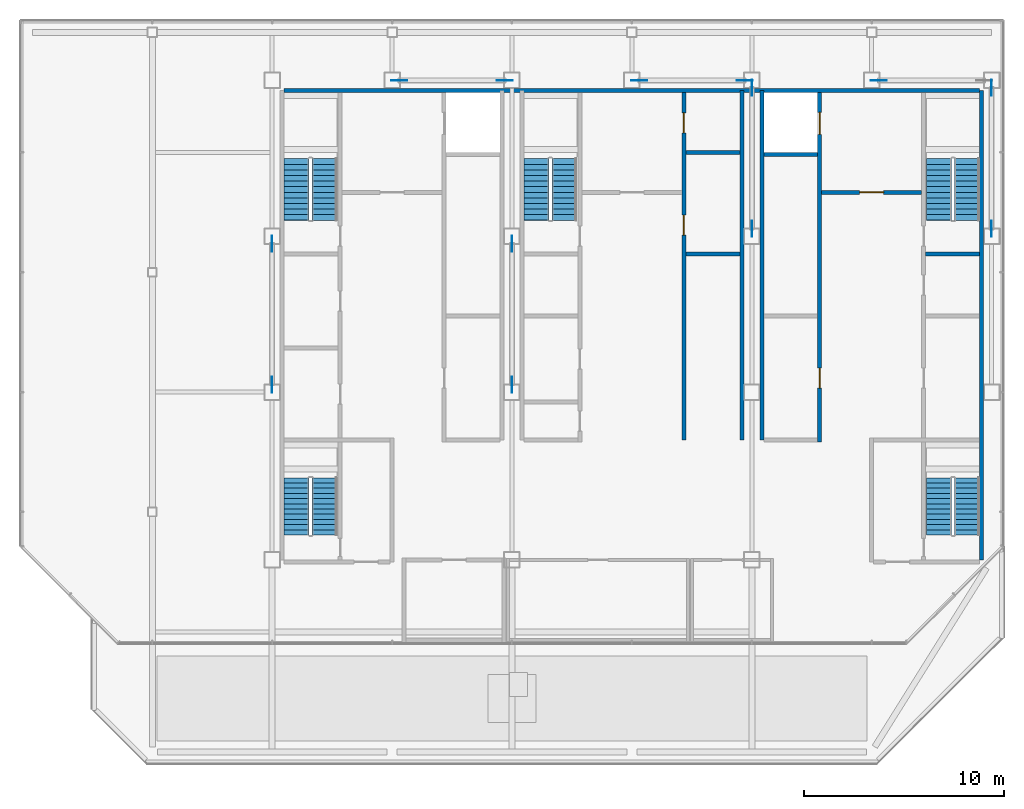
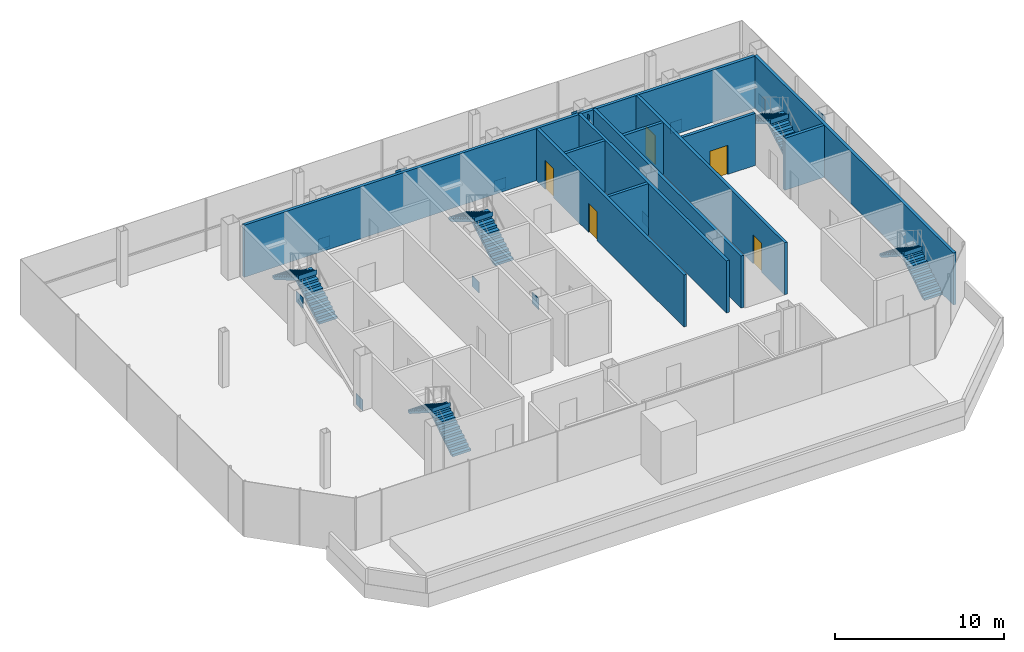
# One storey, part 15 of 18: 13 discrete accessories, 11 walls, 10 stair flights, 5 doors, 5 openings, 5 elements without a shape of their own.
"""IFC4 building model written with IfcOpenShell, lengths in metres."""

from ifc_helpers import new_model, si_unit, direction, frame, frame_2d, origin, origin_2d, place, context, subcontext, project, spatial, polyline, rectangle, outline, extrude, material, layer, layer_set, type_object, element, fill, aggregate, save


model = new_model("IFC4")

# Units and contexts
model_context = context("Model", 3, precision=1e-05, world=origin(), true_north=direction((0.0, 1.0)))
body_context = subcontext(model_context, "Body", "Model", "MODEL_VIEW")
ifc_project = project(units=[si_unit("LENGTHUNIT", "METRE"), si_unit("AREAUNIT", "SQUARE_METRE"), si_unit("VOLUMEUNIT", "CUBIC_METRE"), si_unit("PLANEANGLEUNIT", "RADIAN"), si_unit("MASSUNIT", "GRAM", prefix="KILO")], contexts=[model_context])

# Site, building, storey
site_placement = place(None, origin())
site = spatial("IfcSite", under=ifc_project, at=site_placement, CompositionType="ELEMENT")
building_placement = place(site_placement, origin())
building = spatial("IfcBuilding", under=site, at=building_placement, Name="Sorahane Residences", CompositionType="ELEMENT")
storey_placement = place(building_placement, frame((0.0, 0.0, 345.800048828125)))
storey = spatial("IfcBuildingStorey", under=building, at=storey_placement, Name="L82", CompositionType="ELEMENT", Elevation=345.800048828125)

# Walls
ifc_material_1 = material(Name="Concrete C30", Category="concrete")
ifc_layer_1 = layer(ifc_material_1, 0.199951171875)
ifc_layer_set_1 = layer_set([ifc_layer_1], Name="Core face wall 200 EI 180")
wall_type_1 = type_object("IfcWallType", Name="Core face wall 200 EI 180", PredefinedType="SOLIDWALL", material=ifc_layer_set_1)
wall_1_placement = place(storey_placement, frame((41.5, 21.60009765625, 0.0), z_axis=(0.0, 0.0, 1.0), x_axis=(0.0, 1.0, 0.0)))
element("IfcWall", 1, at=wall_1_placement, inside=storey, type_object=wall_type_1, Name="L82 core face wall", PredefinedType="SOLIDWALL", context=body_context, shape_type="SweptSolid", body=[
    extrude(rectangle(XDim=23.5, YDim=0.199951171875, at=frame_2d((11.75, 0.0))), origin(), (0.0, 0.0, 1.0), 3.75),
])
wall_2_placement = place(storey_placement, frame((6.60009765625, 45.10009765625, 0.0), z_axis=(0.0, 0.0, 1.0), x_axis=(1.0, 0.0, 0.0)))
element("IfcWall", 2, at=wall_2_placement, inside=storey, type_object=wall_type_1, Name="L82 core face wall", PredefinedType="SOLIDWALL", context=body_context, shape_type="SweptSolid", body=[
    extrude(rectangle(XDim=34.7998046875, YDim=0.199951171875, at=frame_2d((17.39990234375, 0.0))), origin(), (0.0, 0.0, 1.0), 3.75),
])
for number, where, z_axis, x_axis, name in (
    (3, (29.5, 27.60009765625, 0.0), (0.0, 0.0, 1.0), (0.0, 1.0, 0.0), "L82 core face wall"),
    (4, (30.5, 27.60009765625, 0.0), (0.0, 0.0, 1.0), (0.0, 1.0, 0.0), "L82 core face wall"),
):
    element("IfcWall", number, at=place(storey_placement, frame(where, z_axis=z_axis, x_axis=x_axis)), inside=storey, type_object=wall_type_1, Name=name, PredefinedType="SOLIDWALL", context=body_context, shape_type="SweptSolid", body=[
        extrude(rectangle(XDim=17.5, YDim=0.199951171875, at=frame_2d((8.75, 0.0))), origin(), (0.0, 0.0, 1.0), 3.75),
    ])

# Wall, openings, doors
ifc_material_2 = material(Name="Concrete C30", Category="concrete")
ifc_layer_2 = layer(ifc_material_2, 0.199951171875)
ifc_layer_set_2 = layer_set([ifc_layer_2], Name="Front room wall 200 EI 120")
wall_type_2 = type_object("IfcWallType", Name="Front room wall 200 EI 120", PredefinedType="PARTITIONING", material=ifc_layer_set_2)
wall_3_placement = place(storey_placement, frame((26.60009765625, 27.60009765625, 0.0), z_axis=(0.0, 0.0, 1.0), x_axis=(0.0, 1.0, 0.0)))
wall_3 = element("IfcWall", 5, at=wall_3_placement, inside=storey, type_object=wall_type_2, Name="L82 front room wall", PredefinedType="PARTITIONING", context=body_context, shape_type="SweptSolid", body=[
    extrude(rectangle(XDim=17.39990234375, YDim=0.199951171875, at=frame_2d((8.699951171875, 0.0))), origin(), (0.0, 0.0, 1.0), 3.75),
])
opening_1_placement = place(wall_3_placement, frame((10.25, 0.0, 0.0)))
opening_1 = element("IfcOpeningElement", 6, at=opening_1_placement, cuts=wall_3, Name="Opening L82-C21", PredefinedType="OPENING", context=body_context, shape_type="SweptSolid", body=[
    extrude(rectangle(XDim=1.0, YDim=2.10009765625, at=frame_2d((0.5, 1.050048828125))), frame((0.0, 0.10986328125, 0.0), z_axis=(0.0, -1.0, 0.0), x_axis=(1.0, 0.0, 0.0)), (0.0, 0.0, 1.0), 0.219970703125),
])
opening_2_placement = place(wall_3_placement, frame((15.375, 0.0, 0.0)))
opening_2 = element("IfcOpeningElement", 7, at=opening_2_placement, cuts=wall_3, Name="Opening L82-C22", PredefinedType="OPENING", context=body_context, shape_type="SweptSolid", body=[
    extrude(rectangle(XDim=1.0, YDim=2.10009765625, at=frame_2d((0.5, 1.050048828125))), frame((0.0, 0.10986328125, 0.0), z_axis=(0.0, -1.0, 0.0), x_axis=(1.0, 0.0, 0.0)), (0.0, 0.0, 1.0), 0.219970703125),
])
ifc_material_3 = material(Name="Steel", Category="steel")
door_type_1 = type_object("IfcDoorType", Name="Service room door 1000x2100 FD60", OperationType="NOTDEFINED", PredefinedType="DOOR", material=ifc_material_3)
door_1_placement = place(opening_1_placement, frame((1.0, 0.0, 0.0), z_axis=(0.0, 0.0, 1.0), x_axis=(-1.0, 0.0, 0.0)))
door_1 = element("IfcDoor", 8, at=door_1_placement, inside=storey, type_object=door_type_1, Name="Service room door Parcel room L82", OperationType="SINGLE_SWING_LEFT", OverallHeight=2.10009765625, OverallWidth=1.0, PredefinedType="DOOR", context=body_context, shape_type="SweptSolid", body=[
    extrude(rectangle(XDim=1.0, YDim=2.10009765625, at=frame_2d((0.5, 1.050048828125))), frame((0.0, 0.02490234375, 0.0), z_axis=(0.0, -1.0, 0.0), x_axis=(1.0, 0.0, 0.0)), (0.0, 0.0, 1.0), 0.050048828125),
])
fill(opening_1, door_1)
door_2_placement = place(opening_2_placement, frame((1.0, 0.0, 0.0), z_axis=(0.0, 0.0, 1.0), x_axis=(-1.0, 0.0, 0.0)))
door_2 = element("IfcDoor", 9, at=door_2_placement, inside=storey, type_object=door_type_1, Name="Service room door Refuse room L82", OperationType="SINGLE_SWING_RIGHT", OverallHeight=2.10009765625, OverallWidth=1.0, PredefinedType="DOOR", context=body_context, shape_type="SweptSolid", body=[
    extrude(rectangle(XDim=1.0, YDim=2.10009765625, at=frame_2d((0.5, 1.050048828125))), frame((0.0, 0.02490234375, 0.0), z_axis=(0.0, -1.0, 0.0), x_axis=(1.0, 0.0, 0.0)), (0.0, 0.0, 1.0), 0.050048828125),
])
fill(opening_2, door_2)

# Wall, opening, door
wall_4_placement = place(storey_placement, frame((33.5, 40.0, 0.0), z_axis=(0.0, 0.0, 1.0), x_axis=(1.0, 0.0, 0.0)))
wall_4 = element("IfcWall", 10, at=wall_4_placement, inside=storey, type_object=wall_type_2, Name="L82 front room wall", PredefinedType="PARTITIONING", context=body_context, shape_type="SweptSolid", body=[
    extrude(rectangle(XDim=5.0, YDim=0.199951171875, at=frame_2d((2.5, 0.0))), origin(), (0.0, 0.0, 1.0), 3.75),
])
opening_3_placement = place(wall_4_placement, frame((1.89990234375, 0.0, 0.0)))
opening_3 = element("IfcOpeningElement", 11, at=opening_3_placement, cuts=wall_4, Name="Opening L82-C05", PredefinedType="OPENING", context=body_context, shape_type="SweptSolid", body=[
    extrude(rectangle(XDim=1.199951171875, YDim=2.10009765625, at=frame_2d((0.60009765625, 1.050048828125))), frame((0.0, 0.10986328125, 0.0), z_axis=(0.0, -1.0, 0.0), x_axis=(1.0, 0.0, 0.0)), (0.0, 0.0, 1.0), 0.219970703125),
])
ifc_material_4 = material(Name="Steel", Category="steel")
door_type_2 = type_object("IfcDoorType", Name="Front room door 1200x2100 FD120", OperationType="NOTDEFINED", PredefinedType="DOOR", material=ifc_material_4)
door_3_placement = place(opening_3_placement, frame((1.199951171875, 0.0, 0.0), z_axis=(0.0, 0.0, 1.0), x_axis=(-1.0, 0.0, 0.0)))
door_3 = element("IfcDoor", 12, at=door_3_placement, inside=storey, type_object=door_type_2, Name="Front room door Firefighting lobby FF2 front room L82", OperationType="DOUBLE_DOOR_SINGLE_SWING", OverallHeight=2.10009765625, OverallWidth=1.199951171875, PredefinedType="DOOR", context=body_context, shape_type="SweptSolid", body=[
    extrude(rectangle(XDim=1.199951171875, YDim=2.10009765625, at=frame_2d((0.60009765625, 1.050048828125))), frame((0.0, 0.02490234375, 0.0), z_axis=(0.0, -1.0, 0.0), x_axis=(1.0, 0.0, 0.0)), (0.0, 0.0, 1.0), 0.050048828125),
])
fill(opening_3, door_3)

# Wall, openings, doors
ifc_material_5 = material(Name="Concrete C30", Category="concrete")
ifc_layer_3 = layer(ifc_material_5, 0.199951171875)
ifc_layer_set_3 = layer_set([ifc_layer_3], Name="Lift shaft wall 200 EI 120")
wall_type_3 = type_object("IfcWallType", Name="Lift shaft wall 200 EI 120", PredefinedType="SOLIDWALL", material=ifc_layer_set_3)
wall_5_placement = place(storey_placement, frame((33.39990234375, 27.5, 0.0), z_axis=(0.0, 0.0, 1.0), x_axis=(0.0, 1.0, 0.0)))
wall_5 = element("IfcWall", 13, at=wall_5_placement, inside=storey, type_object=wall_type_3, Name="L82 lift shaft wall", PredefinedType="SOLIDWALL", context=body_context, shape_type="SweptSolid", body=[
    extrude(rectangle(XDim=17.5, YDim=0.199951171875, at=frame_2d((8.75, 0.0))), origin(), (0.0, 0.0, 1.0), 3.75),
])
opening_4_placement = place(wall_5_placement, frame((15.39990234375, 0.0, 0.0)))
opening_4 = element("IfcOpeningElement", 14, at=opening_4_placement, cuts=wall_5, Name="Opening L82-C06", PredefinedType="OPENING", context=body_context, shape_type="SweptSolid", body=[
    extrude(rectangle(XDim=1.10009765625, YDim=2.10009765625, at=frame_2d((0.550048828125, 1.050048828125))), frame((0.0, 0.10986328125, 0.0), z_axis=(0.0, -1.0, 0.0), x_axis=(1.0, 0.0, 0.0)), (0.0, 0.0, 1.0), 0.219970703125),
])
opening_5_placement = place(wall_5_placement, frame((2.699951171875, 0.0, 0.0)))
opening_5 = element("IfcOpeningElement", 15, at=opening_5_placement, cuts=wall_5, Name="Opening L82-C12", PredefinedType="OPENING", context=body_context, shape_type="SweptSolid", body=[
    extrude(rectangle(XDim=1.0, YDim=2.10009765625, at=frame_2d((0.5, 1.050048828125))), frame((0.0, 0.10986328125, 0.0), z_axis=(0.0, -1.0, 0.0), x_axis=(1.0, 0.0, 0.0)), (0.0, 0.0, 1.0), 0.219970703125),
])
ifc_material_6 = material(Name="Aluminium and stainless steel", Category="steel")
door_type_3 = type_object("IfcDoorType", Name="Lift landing door 1100x2100 E 60", OperationType="NOTDEFINED", PredefinedType="DOOR", material=ifc_material_6)
door_4_placement = place(opening_4_placement, origin())
door_4 = element("IfcDoor", 16, at=door_4_placement, inside=storey, type_object=door_type_3, Name="Lift landing door FF2 L82", OperationType="DOUBLE_DOOR_SLIDING", OverallHeight=2.10009765625, OverallWidth=1.10009765625, PredefinedType="DOOR", context=body_context, shape_type="SweptSolid", body=[
    extrude(rectangle(XDim=1.10009765625, YDim=2.10009765625, at=frame_2d((0.550048828125, 1.050048828125))), frame((0.0, 0.02490234375, 0.0), z_axis=(0.0, -1.0, 0.0), x_axis=(1.0, 0.0, 0.0)), (0.0, 0.0, 1.0), 0.050048828125),
])
fill(opening_4, door_4)
door_5_placement = place(opening_5_placement, origin())
door_5 = element("IfcDoor", 17, at=door_5_placement, inside=storey, type_object=door_type_1, Name="Service room door Meeting room L82", OperationType="SINGLE_SWING_RIGHT", OverallHeight=2.10009765625, OverallWidth=1.0, PredefinedType="DOOR", context=body_context, shape_type="SweptSolid", body=[
    extrude(rectangle(XDim=1.0, YDim=2.10009765625, at=frame_2d((0.5, 1.050048828125))), frame((0.0, 0.02490234375, 0.0), z_axis=(0.0, -1.0, 0.0), x_axis=(1.0, 0.0, 0.0)), (0.0, 0.0, 1.0), 0.050048828125),
])
fill(opening_5, door_5)

# Walls
wall_6_placement = place(storey_placement, frame((30.60009765625, 41.89990234375, 0.0), z_axis=(0.0, 0.0, 1.0), x_axis=(1.0, 0.0, 0.0)))
element("IfcWall", 18, at=wall_6_placement, inside=storey, type_object=wall_type_3, Name="L82 lift shaft wall", PredefinedType="SOLIDWALL", context=body_context, shape_type="SweptSolid", body=[
    extrude(rectangle(XDim=2.699951171875, YDim=0.199951171875, at=frame_2d((1.35009765625, 0.0))), origin(), (0.0, 0.0, 1.0), 3.75),
])
ifc_material_7 = material(Name="Concrete C30", Category="concrete")
ifc_layer_4 = layer(ifc_material_7, 0.199951171875)
ifc_layer_set_4 = layer_set([ifc_layer_4], Name="Service room partition 200 EI 60")
wall_type_4 = type_object("IfcWallType", Name="Service room partition 200 EI 60", PredefinedType="PARTITIONING", material=ifc_layer_set_4)
for number, where, z_axis, x_axis, name in (
    (19, (26.699951171875, 36.89990234375, 0.0), (0.0, 0.0, 1.0), (1.0, 0.0, 0.0), "L82 service room wall"),
    (20, (26.699951171875, 42.0, 0.0), (0.0, 0.0, 1.0), (1.0, 0.0, 0.0), "L82 service room wall"),
):
    element("IfcWall", number, at=place(storey_placement, frame(where, z_axis=z_axis, x_axis=x_axis)), inside=storey, type_object=wall_type_4, Name=name, PredefinedType="PARTITIONING", context=body_context, shape_type="SweptSolid", body=[
        extrude(rectangle(XDim=2.699951171875, YDim=0.199951171875, at=frame_2d((1.35009765625, 0.0))), origin(), (0.0, 0.0, 1.0), 3.75),
    ])
ifc_material_8 = material(Name="Concrete C30", Category="concrete")
ifc_layer_5 = layer(ifc_material_8, 0.199951171875)
ifc_layer_set_5 = layer_set([ifc_layer_5], Name="Stair enclosure wall 200 EI 120")
wall_type_5 = type_object("IfcWallType", Name="Stair enclosure wall 200 EI 120", PredefinedType="SOLIDWALL", material=ifc_layer_set_5)
wall_7_placement = place(storey_placement, frame((38.699951171875, 36.89990234375, 0.0), z_axis=(0.0, 0.0, 1.0), x_axis=(1.0, 0.0, 0.0)))
element("IfcWall", 21, at=wall_7_placement, inside=storey, type_object=wall_type_5, Name="L82 stair enclosure wall", PredefinedType="SOLIDWALL", context=body_context, shape_type="SweptSolid", body=[
    extrude(rectangle(XDim=2.699951171875, YDim=0.199951171875, at=frame_2d((1.35009765625, 0.0))), origin(), (0.0, 0.0, 1.0), 3.75),
])

# Stair, stair flights
ifc_material_9 = material(Name="Concrete C40", Category="concrete")
stair_type = type_object("IfcStairType", Name="Dog-leg stair 1250 Concrete C40", PredefinedType="HALF_TURN_STAIR", material=ifc_material_9)
stair_1_placement = place(storey_placement, origin())
stair_1 = element("IfcStair", 22, at=stair_1_placement, inside=storey, type_object=stair_type, Name="L82 Stair S1", PredefinedType="HALF_TURN_STAIR")
ifc_material_10 = material(Name="Concrete C40", Category="concrete")
stair_flight_type = type_object("IfcStairFlightType", Name="Stair flight 1250 Concrete C40", PredefinedType="STRAIGHT", material=ifc_material_10)
stair_flight_1_placement = place(storey_placement, frame((8.625, 38.60009765625, 0.0), z_axis=(0.0, 0.0, 1.0), x_axis=(0.0, 1.0, 0.0)))
stair_flight_1 = element("IfcStairFlight", 23, at=stair_flight_1_placement, type_object=stair_flight_type, Name="S1 flight 1", NumberOfRisers=12, NumberOfTreads=11, PredefinedType="STRAIGHT", RiserHeight=0.166666667, TreadLength=0.28, context=body_context, shape_type="SweptSolid", body=[
    extrude(outline(polyline([(-0.00146484375, 0.0), (-0.00146484375, 0.166748046875), (0.0, 0.166748046875), (0.280029296875, 0.166748046875), (0.280029296875, 0.333251953125), (0.56005859375, 0.333251953125), (0.56005859375, 0.5), (0.840087890625, 0.5), (0.840087890625, 0.666748046875), (1.1201171875, 0.666748046875), (1.1201171875, 0.833251953125), (1.39990234375, 0.833251953125), (1.39990234375, 1.0), (1.679931640625, 1.0), (1.679931640625, 1.166748046875), (1.9599609375, 1.166748046875), (1.9599609375, 1.333251953125), (2.239990234375, 1.333251953125), (2.239990234375, 1.5), (2.52001953125, 1.5), (2.52001953125, 1.666748046875), (2.800048828125, 1.666748046875), (2.800048828125, 1.833251953125), (3.080078125, 1.833251953125), (3.080078125, 2.0), (3.080078125, 1.658935546875), (2.86572265625, 1.53125), (2.651123046875, 1.403564453125), (2.436767578125, 1.276123046875), (2.222412109375, 1.1484375), (2.008056640625, 1.020751953125), (1.793701171875, 0.893310546875), (1.579345703125, 0.765625), (1.364990234375, 0.637939453125), (1.150634765625, 0.510498046875), (0.936279296875, 0.3828125), (0.721923828125, 0.255126953125), (0.507568359375, 0.127685546875), (0.29296875, 0.0), (-0.00146484375, 0.0)])), frame((0.0, 0.625, 0.0), z_axis=(0.0, -1.0, 0.0), x_axis=(1.0, 0.0, 0.0)), (0.0, 0.0, 1.0), 1.25),
])
stair_flight_2_placement = place(storey_placement, frame((7.22509765625, 41.679931640625, 2.0), z_axis=(0.0, 0.0, 1.0), x_axis=(0.0, -1.0, 0.0)))
stair_flight_2 = element("IfcStairFlight", 24, at=stair_flight_2_placement, type_object=stair_flight_type, Name="S1 flight 2", NumberOfRisers=12, NumberOfTreads=11, PredefinedType="STRAIGHT", RiserHeight=0.166666667, TreadLength=0.28, context=body_context, shape_type="SweptSolid", body=[
    extrude(outline(polyline([(0.0, 0.0), (0.0, 0.166748046875), (0.280029296875, 0.166748046875), (0.280029296875, 0.333251953125), (0.56005859375, 0.333251953125), (0.56005859375, 0.5), (0.840087890625, 0.5), (0.840087890625, 0.666748046875), (1.1201171875, 0.666748046875), (1.1201171875, 0.833251953125), (1.39990234375, 0.833251953125), (1.39990234375, 1.0), (1.679931640625, 1.0), (1.679931640625, 1.166748046875), (1.9599609375, 1.166748046875), (1.9599609375, 1.333251953125), (2.239990234375, 1.333251953125), (2.239990234375, 1.5), (2.52001953125, 1.5), (2.52001953125, 1.666748046875), (2.800048828125, 1.666748046875), (2.800048828125, 1.833251953125), (3.080078125, 1.833251953125), (3.080078125, 2.0), (3.08154296875, 2.0), (3.08154296875, 1.658935546875), (2.866943359375, 1.53125), (2.652587890625, 1.403564453125), (2.43798828125, 1.276123046875), (2.2236328125, 1.1484375), (2.009033203125, 1.020751953125), (1.79443359375, 0.893310546875), (1.580078125, 0.765625), (1.365478515625, 0.637939453125), (1.151123046875, 0.510498046875), (0.9365234375, 0.3828125), (0.72216796875, 0.255126953125), (0.507568359375, 0.127685546875), (0.29296875, 0.0), (0.0, 0.0)])), frame((0.0, 0.625, 0.0), z_axis=(0.0, -1.0, 0.0), x_axis=(1.0, 0.0, 0.0)), (0.0, 0.0, 1.0), 1.25),
])
aggregate(stair_1, [stair_flight_1, stair_flight_2])

stair_2_placement = place(storey_placement, origin())
stair_2 = element("IfcStair", 25, at=stair_2_placement, inside=storey, type_object=stair_type, Name="L82 Stair S2", PredefinedType="HALF_TURN_STAIR")
stair_flight_3_placement = place(storey_placement, frame((40.77490234375, 38.60009765625, 0.0), z_axis=(0.0, 0.0, 1.0), x_axis=(0.0, 1.0, 0.0)))
stair_flight_3 = element("IfcStairFlight", 26, at=stair_flight_3_placement, type_object=stair_flight_type, Name="S2 flight 1", NumberOfRisers=12, NumberOfTreads=11, PredefinedType="STRAIGHT", RiserHeight=0.166666667, TreadLength=0.28, context=body_context, shape_type="SweptSolid", body=[
    extrude(outline(polyline([(-0.00146484375, 0.0), (-0.00146484375, 0.166748046875), (0.0, 0.166748046875), (0.280029296875, 0.166748046875), (0.280029296875, 0.333251953125), (0.56005859375, 0.333251953125), (0.56005859375, 0.5), (0.840087890625, 0.5), (0.840087890625, 0.666748046875), (1.1201171875, 0.666748046875), (1.1201171875, 0.833251953125), (1.39990234375, 0.833251953125), (1.39990234375, 1.0), (1.679931640625, 1.0), (1.679931640625, 1.166748046875), (1.9599609375, 1.166748046875), (1.9599609375, 1.333251953125), (2.239990234375, 1.333251953125), (2.239990234375, 1.5), (2.52001953125, 1.5), (2.52001953125, 1.666748046875), (2.800048828125, 1.666748046875), (2.800048828125, 1.833251953125), (3.080078125, 1.833251953125), (3.080078125, 2.0), (3.080078125, 1.658935546875), (2.86572265625, 1.53125), (2.651123046875, 1.403564453125), (2.436767578125, 1.276123046875), (2.222412109375, 1.1484375), (2.008056640625, 1.020751953125), (1.793701171875, 0.893310546875), (1.579345703125, 0.765625), (1.364990234375, 0.637939453125), (1.150634765625, 0.510498046875), (0.936279296875, 0.3828125), (0.721923828125, 0.255126953125), (0.507568359375, 0.127685546875), (0.29296875, 0.0), (-0.00146484375, 0.0)])), frame((0.0, 0.625, 0.0), z_axis=(0.0, -1.0, 0.0), x_axis=(1.0, 0.0, 0.0)), (0.0, 0.0, 1.0), 1.25),
])
stair_flight_4_placement = place(storey_placement, frame((39.375, 41.679931640625, 2.0), z_axis=(0.0, 0.0, 1.0), x_axis=(0.0, -1.0, 0.0)))
stair_flight_4 = element("IfcStairFlight", 27, at=stair_flight_4_placement, type_object=stair_flight_type, Name="S2 flight 2", NumberOfRisers=12, NumberOfTreads=11, PredefinedType="STRAIGHT", RiserHeight=0.166666667, TreadLength=0.28, context=body_context, shape_type="SweptSolid", body=[
    extrude(outline(polyline([(0.0, 0.0), (0.0, 0.166748046875), (0.280029296875, 0.166748046875), (0.280029296875, 0.333251953125), (0.56005859375, 0.333251953125), (0.56005859375, 0.5), (0.840087890625, 0.5), (0.840087890625, 0.666748046875), (1.1201171875, 0.666748046875), (1.1201171875, 0.833251953125), (1.39990234375, 0.833251953125), (1.39990234375, 1.0), (1.679931640625, 1.0), (1.679931640625, 1.166748046875), (1.9599609375, 1.166748046875), (1.9599609375, 1.333251953125), (2.239990234375, 1.333251953125), (2.239990234375, 1.5), (2.52001953125, 1.5), (2.52001953125, 1.666748046875), (2.800048828125, 1.666748046875), (2.800048828125, 1.833251953125), (3.080078125, 1.833251953125), (3.080078125, 2.0), (3.08154296875, 2.0), (3.08154296875, 1.658935546875), (2.866943359375, 1.53125), (2.652587890625, 1.403564453125), (2.43798828125, 1.276123046875), (2.2236328125, 1.1484375), (2.009033203125, 1.020751953125), (1.79443359375, 0.893310546875), (1.580078125, 0.765625), (1.365478515625, 0.637939453125), (1.151123046875, 0.510498046875), (0.9365234375, 0.3828125), (0.72216796875, 0.255126953125), (0.507568359375, 0.127685546875), (0.29296875, 0.0), (0.0, 0.0)])), frame((0.0, 0.625, 0.0), z_axis=(0.0, -1.0, 0.0), x_axis=(1.0, 0.0, 0.0)), (0.0, 0.0, 1.0), 1.25),
])
aggregate(stair_2, [stair_flight_3, stair_flight_4])

stair_3_placement = place(storey_placement, origin())
stair_3 = element("IfcStair", 28, at=stair_3_placement, inside=storey, type_object=stair_type, Name="L82 Stair S3", PredefinedType="HALF_TURN_STAIR")
stair_flight_5_placement = place(storey_placement, frame((20.625, 38.60009765625, 0.0), z_axis=(0.0, 0.0, 1.0), x_axis=(0.0, 1.0, 0.0)))
stair_flight_5 = element("IfcStairFlight", 29, at=stair_flight_5_placement, type_object=stair_flight_type, Name="S3 flight 1", NumberOfRisers=12, NumberOfTreads=11, PredefinedType="STRAIGHT", RiserHeight=0.166666667, TreadLength=0.28, context=body_context, shape_type="SweptSolid", body=[
    extrude(outline(polyline([(-0.00146484375, 0.0), (-0.00146484375, 0.166748046875), (0.0, 0.166748046875), (0.280029296875, 0.166748046875), (0.280029296875, 0.333251953125), (0.56005859375, 0.333251953125), (0.56005859375, 0.5), (0.840087890625, 0.5), (0.840087890625, 0.666748046875), (1.1201171875, 0.666748046875), (1.1201171875, 0.833251953125), (1.39990234375, 0.833251953125), (1.39990234375, 1.0), (1.679931640625, 1.0), (1.679931640625, 1.166748046875), (1.9599609375, 1.166748046875), (1.9599609375, 1.333251953125), (2.239990234375, 1.333251953125), (2.239990234375, 1.5), (2.52001953125, 1.5), (2.52001953125, 1.666748046875), (2.800048828125, 1.666748046875), (2.800048828125, 1.833251953125), (3.080078125, 1.833251953125), (3.080078125, 2.0), (3.080078125, 1.658935546875), (2.86572265625, 1.53125), (2.651123046875, 1.403564453125), (2.436767578125, 1.276123046875), (2.222412109375, 1.1484375), (2.008056640625, 1.020751953125), (1.793701171875, 0.893310546875), (1.579345703125, 0.765625), (1.364990234375, 0.637939453125), (1.150634765625, 0.510498046875), (0.936279296875, 0.3828125), (0.721923828125, 0.255126953125), (0.507568359375, 0.127685546875), (0.29296875, 0.0), (-0.00146484375, 0.0)])), frame((0.0, 0.625, 0.0), z_axis=(0.0, -1.0, 0.0), x_axis=(1.0, 0.0, 0.0)), (0.0, 0.0, 1.0), 1.25),
])
stair_flight_6_placement = place(storey_placement, frame((19.22509765625, 41.679931640625, 2.0), z_axis=(0.0, 0.0, 1.0), x_axis=(0.0, -1.0, 0.0)))
stair_flight_6 = element("IfcStairFlight", 30, at=stair_flight_6_placement, type_object=stair_flight_type, Name="S3 flight 2", NumberOfRisers=12, NumberOfTreads=11, PredefinedType="STRAIGHT", RiserHeight=0.166666667, TreadLength=0.28, context=body_context, shape_type="SweptSolid", body=[
    extrude(outline(polyline([(0.0, 0.0), (0.0, 0.166748046875), (0.280029296875, 0.166748046875), (0.280029296875, 0.333251953125), (0.56005859375, 0.333251953125), (0.56005859375, 0.5), (0.840087890625, 0.5), (0.840087890625, 0.666748046875), (1.1201171875, 0.666748046875), (1.1201171875, 0.833251953125), (1.39990234375, 0.833251953125), (1.39990234375, 1.0), (1.679931640625, 1.0), (1.679931640625, 1.166748046875), (1.9599609375, 1.166748046875), (1.9599609375, 1.333251953125), (2.239990234375, 1.333251953125), (2.239990234375, 1.5), (2.52001953125, 1.5), (2.52001953125, 1.666748046875), (2.800048828125, 1.666748046875), (2.800048828125, 1.833251953125), (3.080078125, 1.833251953125), (3.080078125, 2.0), (3.08154296875, 2.0), (3.08154296875, 1.658935546875), (2.866943359375, 1.53125), (2.652587890625, 1.403564453125), (2.43798828125, 1.276123046875), (2.2236328125, 1.1484375), (2.009033203125, 1.020751953125), (1.79443359375, 0.893310546875), (1.580078125, 0.765625), (1.365478515625, 0.637939453125), (1.151123046875, 0.510498046875), (0.9365234375, 0.3828125), (0.72216796875, 0.255126953125), (0.507568359375, 0.127685546875), (0.29296875, 0.0), (0.0, 0.0)])), frame((0.0, 0.625, 0.0), z_axis=(0.0, -1.0, 0.0), x_axis=(1.0, 0.0, 0.0)), (0.0, 0.0, 1.0), 1.25),
])
aggregate(stair_3, [stair_flight_5, stair_flight_6])

stair_4_placement = place(storey_placement, origin())
stair_4 = element("IfcStair", 31, at=stair_4_placement, inside=storey, type_object=stair_type, Name="L82 Stair S4", PredefinedType="HALF_TURN_STAIR")
stair_flight_7_placement = place(storey_placement, frame((8.625, 22.85009765625, 0.0), z_axis=(0.0, 0.0, 1.0), x_axis=(0.0, 1.0, 0.0)))
stair_flight_7 = element("IfcStairFlight", 32, at=stair_flight_7_placement, type_object=stair_flight_type, Name="S4 flight 1", NumberOfRisers=12, NumberOfTreads=11, PredefinedType="STRAIGHT", RiserHeight=0.166666667, TreadLength=0.26, context=body_context, shape_type="SweptSolid", body=[
    extrude(outline(polyline([(-0.00146484375, 0.0), (-0.00146484375, 0.166748046875), (0.0, 0.166748046875), (0.260009765625, 0.166748046875), (0.260009765625, 0.333251953125), (0.52001953125, 0.333251953125), (0.52001953125, 0.5), (0.780029296875, 0.5), (0.780029296875, 0.666748046875), (1.0400390625, 0.666748046875), (1.0400390625, 0.833251953125), (1.300048828125, 0.833251953125), (1.300048828125, 1.0), (1.56005859375, 1.0), (1.56005859375, 1.166748046875), (1.820068359375, 1.166748046875), (1.820068359375, 1.333251953125), (2.080078125, 1.333251953125), (2.080078125, 1.5), (2.340087890625, 1.5), (2.340087890625, 1.666748046875), (2.60009765625, 1.666748046875), (2.60009765625, 1.833251953125), (2.860107421875, 1.833251953125), (2.860107421875, 2.0), (2.860107421875, 1.690673828125), (2.6572265625, 1.560546875), (2.454345703125, 1.4306640625), (2.25146484375, 1.300537109375), (2.048583984375, 1.17041015625), (1.845703125, 1.040283203125), (1.642822265625, 0.910400390625), (1.43994140625, 0.7802734375), (1.237060546875, 0.650146484375), (1.0341796875, 0.520263671875), (0.831298828125, 0.39013671875), (0.62841796875, 0.260009765625), (0.425537109375, 0.130126953125), (0.22265625, 0.0), (-0.00146484375, 0.0)])), frame((0.0, 0.625, 0.0), z_axis=(0.0, -1.0, 0.0), x_axis=(1.0, 0.0, 0.0)), (0.0, 0.0, 1.0), 1.25),
])
stair_flight_8_placement = place(storey_placement, frame((7.22509765625, 25.7099609375, 2.0), z_axis=(0.0, 0.0, 1.0), x_axis=(0.0, -1.0, 0.0)))
stair_flight_8 = element("IfcStairFlight", 33, at=stair_flight_8_placement, type_object=stair_flight_type, Name="S4 flight 2", NumberOfRisers=12, NumberOfTreads=11, PredefinedType="STRAIGHT", RiserHeight=0.166666667, TreadLength=0.26, context=body_context, shape_type="SweptSolid", body=[
    extrude(outline(polyline([(0.0, 0.0), (0.0, 0.166748046875), (0.260009765625, 0.166748046875), (0.260009765625, 0.333251953125), (0.52001953125, 0.333251953125), (0.52001953125, 0.5), (0.780029296875, 0.5), (0.780029296875, 0.666748046875), (1.0400390625, 0.666748046875), (1.0400390625, 0.833251953125), (1.300048828125, 0.833251953125), (1.300048828125, 1.0), (1.56005859375, 1.0), (1.56005859375, 1.166748046875), (1.820068359375, 1.166748046875), (1.820068359375, 1.333251953125), (2.080078125, 1.333251953125), (2.080078125, 1.5), (2.340087890625, 1.5), (2.340087890625, 1.666748046875), (2.60009765625, 1.666748046875), (2.60009765625, 1.833251953125), (2.860107421875, 1.833251953125), (2.860107421875, 2.0), (2.861572265625, 2.0), (2.861572265625, 1.690673828125), (2.658447265625, 1.560546875), (2.45556640625, 1.4306640625), (2.25244140625, 1.300537109375), (2.049560546875, 1.17041015625), (1.846435546875, 1.040283203125), (1.6435546875, 0.910400390625), (1.4404296875, 0.7802734375), (1.237548828125, 0.650146484375), (1.03466796875, 0.520263671875), (0.83154296875, 0.39013671875), (0.628662109375, 0.260009765625), (0.425537109375, 0.130126953125), (0.22265625, 0.0), (0.0, 0.0)])), frame((0.0, 0.625, 0.0), z_axis=(0.0, -1.0, 0.0), x_axis=(1.0, 0.0, 0.0)), (0.0, 0.0, 1.0), 1.25),
])
aggregate(stair_4, [stair_flight_7, stair_flight_8])

stair_5_placement = place(storey_placement, origin())
stair_5 = element("IfcStair", 34, at=stair_5_placement, inside=storey, type_object=stair_type, Name="L82 Stair S5", PredefinedType="HALF_TURN_STAIR")
stair_flight_9_placement = place(storey_placement, frame((40.77490234375, 22.85009765625, 0.0), z_axis=(0.0, 0.0, 1.0), x_axis=(0.0, 1.0, 0.0)))
stair_flight_9 = element("IfcStairFlight", 35, at=stair_flight_9_placement, type_object=stair_flight_type, Name="S5 flight 1", NumberOfRisers=12, NumberOfTreads=11, PredefinedType="STRAIGHT", RiserHeight=0.166666667, TreadLength=0.26, context=body_context, shape_type="SweptSolid", body=[
    extrude(outline(polyline([(-0.00146484375, 0.0), (-0.00146484375, 0.166748046875), (0.0, 0.166748046875), (0.260009765625, 0.166748046875), (0.260009765625, 0.333251953125), (0.52001953125, 0.333251953125), (0.52001953125, 0.5), (0.780029296875, 0.5), (0.780029296875, 0.666748046875), (1.0400390625, 0.666748046875), (1.0400390625, 0.833251953125), (1.300048828125, 0.833251953125), (1.300048828125, 1.0), (1.56005859375, 1.0), (1.56005859375, 1.166748046875), (1.820068359375, 1.166748046875), (1.820068359375, 1.333251953125), (2.080078125, 1.333251953125), (2.080078125, 1.5), (2.340087890625, 1.5), (2.340087890625, 1.666748046875), (2.60009765625, 1.666748046875), (2.60009765625, 1.833251953125), (2.860107421875, 1.833251953125), (2.860107421875, 2.0), (2.860107421875, 1.690673828125), (2.6572265625, 1.560546875), (2.454345703125, 1.4306640625), (2.25146484375, 1.300537109375), (2.048583984375, 1.17041015625), (1.845703125, 1.040283203125), (1.642822265625, 0.910400390625), (1.43994140625, 0.7802734375), (1.237060546875, 0.650146484375), (1.0341796875, 0.520263671875), (0.831298828125, 0.39013671875), (0.62841796875, 0.260009765625), (0.425537109375, 0.130126953125), (0.22265625, 0.0), (-0.00146484375, 0.0)])), frame((0.0, 0.625, 0.0), z_axis=(0.0, -1.0, 0.0), x_axis=(1.0, 0.0, 0.0)), (0.0, 0.0, 1.0), 1.25),
])
stair_flight_10_placement = place(storey_placement, frame((39.375, 25.7099609375, 2.0), z_axis=(0.0, 0.0, 1.0), x_axis=(0.0, -1.0, 0.0)))
stair_flight_10 = element("IfcStairFlight", 36, at=stair_flight_10_placement, type_object=stair_flight_type, Name="S5 flight 2", NumberOfRisers=12, NumberOfTreads=11, PredefinedType="STRAIGHT", RiserHeight=0.166666667, TreadLength=0.26, context=body_context, shape_type="SweptSolid", body=[
    extrude(outline(polyline([(0.0, 0.0), (0.0, 0.166748046875), (0.260009765625, 0.166748046875), (0.260009765625, 0.333251953125), (0.52001953125, 0.333251953125), (0.52001953125, 0.5), (0.780029296875, 0.5), (0.780029296875, 0.666748046875), (1.0400390625, 0.666748046875), (1.0400390625, 0.833251953125), (1.300048828125, 0.833251953125), (1.300048828125, 1.0), (1.56005859375, 1.0), (1.56005859375, 1.166748046875), (1.820068359375, 1.166748046875), (1.820068359375, 1.333251953125), (2.080078125, 1.333251953125), (2.080078125, 1.5), (2.340087890625, 1.5), (2.340087890625, 1.666748046875), (2.60009765625, 1.666748046875), (2.60009765625, 1.833251953125), (2.860107421875, 1.833251953125), (2.860107421875, 2.0), (2.861572265625, 2.0), (2.861572265625, 1.690673828125), (2.658447265625, 1.560546875), (2.45556640625, 1.4306640625), (2.25244140625, 1.300537109375), (2.049560546875, 1.17041015625), (1.846435546875, 1.040283203125), (1.6435546875, 0.910400390625), (1.4404296875, 0.7802734375), (1.237548828125, 0.650146484375), (1.03466796875, 0.520263671875), (0.83154296875, 0.39013671875), (0.628662109375, 0.260009765625), (0.425537109375, 0.130126953125), (0.22265625, 0.0), (0.0, 0.0)])), frame((0.0, 0.625, 0.0), z_axis=(0.0, -1.0, 0.0), x_axis=(1.0, 0.0, 0.0)), (0.0, 0.0, 1.0), 1.25),
])
aggregate(stair_5, [stair_flight_9, stair_flight_10])

# Discrete accessories
ifc_material_11 = material(Name="Steel Q355B", Category="steel")
ifc_layer_6 = layer(ifc_material_11, 0.02490234375)
ifc_layer_set_6 = layer_set([ifc_layer_6], Name="Node plate Steel Q355B 25")
discrete_accessory_type = type_object("IfcDiscreteAccessoryType", Name="Node plate Steel Q355B 25", PredefinedType="BRACKET", material=ifc_layer_set_6)
for number, where, z_axis, x_axis, name in (
    (37, (6.0, 30.3701171875, -0.2880859375), (0.0, 0.0, 1.0), (0.0, 1.0, 0.0), "Node plate L82 br"),
    (38, (6.0, 37.429931640625, 2.7880859375), (0.0, 0.0, 1.0), (0.0, 1.0, 0.0), "Node plate L82 br"),
    (39, (18.0, 37.429931640625, -0.2880859375), (0.0, 0.0, 1.0), (0.0, 1.0, 0.0), "Node plate L82 br"),
    (40, (18.0, 30.3701171875, 2.7880859375), (0.0, 0.0, 1.0), (0.0, 1.0, 0.0), "Node plate L82 br"),
    (41, (30.0, 38.169921875, -0.2880859375), (0.0, 0.0, 1.0), (0.0, 1.0, 0.0), "Node plate L82 br"),
    (42, (30.0, 45.22998046875, 2.7880859375), (0.0, 0.0, 1.0), (0.0, 1.0, 0.0), "Node plate L82 br"),
    (43, (42.0, 45.22998046875, -0.2880859375), (0.0, 0.0, 1.0), (0.0, 1.0, 0.0), "Node plate L82 br"),
    (44, (42.0, 38.169921875, 2.7880859375), (0.0, 0.0, 1.0), (0.0, 1.0, 0.0), "Node plate L82 br"),
    (45, (12.362060546875, 45.60009765625, -0.29736328125), (0.0, 0.0, 1.0), (1.0, 0.0, 0.0), "Node plate L82 br"),
    (46, (24.362060546875, 45.60009765625, -0.29736328125), (0.0, 0.0, 1.0), (1.0, 0.0, 0.0), "Node plate L82 br"),
    (47, (36.362060546875, 45.60009765625, -0.29736328125), (0.0, 0.0, 1.0), (1.0, 0.0, 0.0), "Node plate L82 br"),
    (48, (17.637939453125, 45.60009765625, 2.79736328125), (0.0, 0.0, 1.0), (1.0, 0.0, 0.0), "Node plate L82 br"),
    (49, (29.637939453125, 45.60009765625, 2.79736328125), (0.0, 0.0, 1.0), (1.0, 0.0, 0.0), "Node plate L82 br"),
):
    element("IfcDiscreteAccessory", number, at=place(storey_placement, frame(where, z_axis=z_axis, x_axis=x_axis)), inside=storey, type_object=discrete_accessory_type, Name=name, PredefinedType="BRACKET", context=body_context, shape_type="SweptSolid", body=[
        extrude(rectangle(XDim=0.800048828125, YDim=0.02490234375, at=origin_2d()), origin(), (0.0, 0.0, 1.0), 0.800048828125),
    ])

save(model, "model.ifc")
